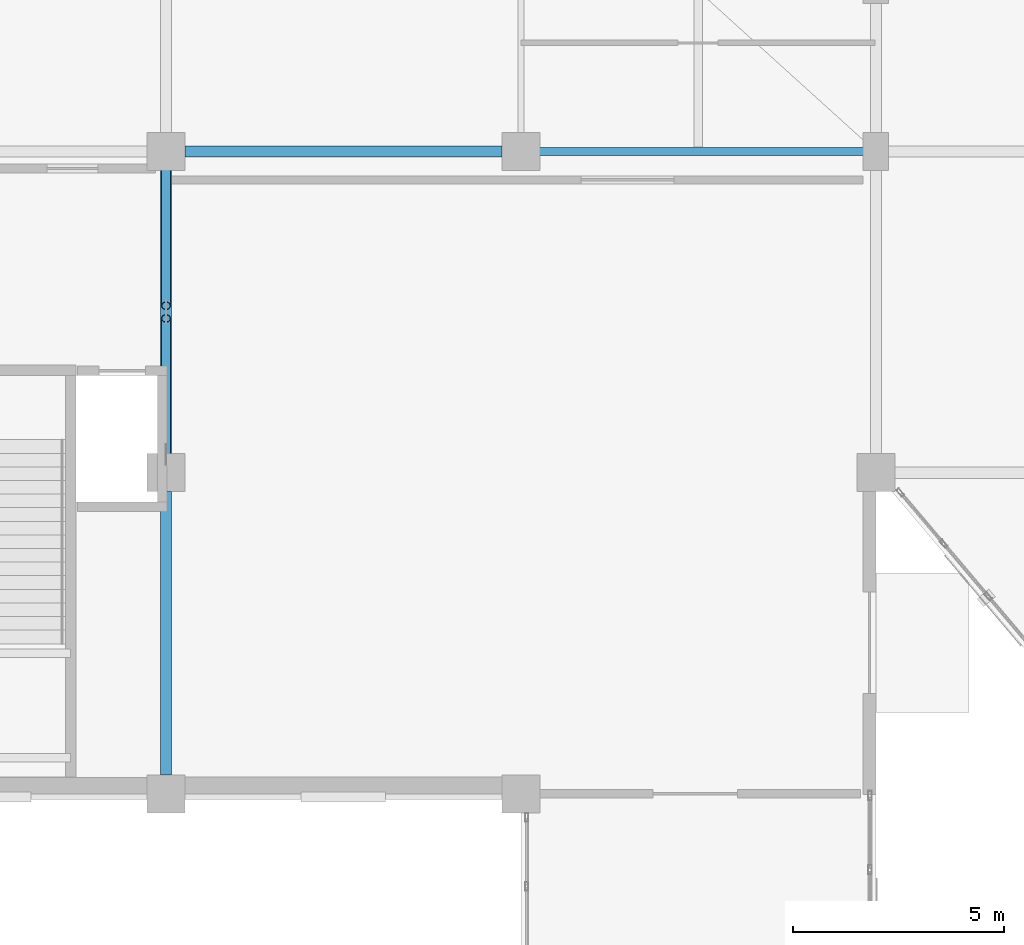
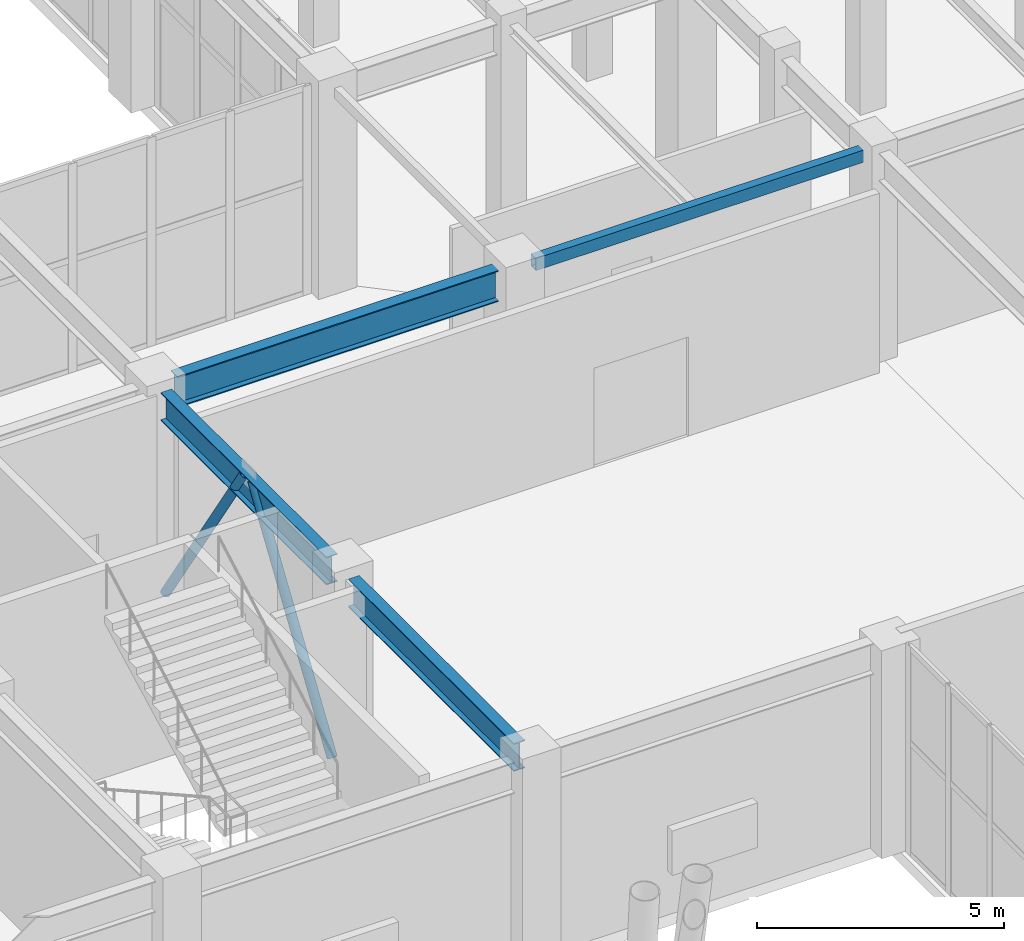
# One storey, part 15 of 139: 4 beams, 2 members.
"""IFC4 building model written with IfcOpenShell, lengths in metres."""

from ifc_helpers import new_model, si_unit, direction, frame, origin, origin_2d, place, context, subcontext, project, spatial, hollow_rectangle, hollow_circle, i_section, extrude, material, material_profile, profile_set, type_object, element, save


model = new_model("IFC4")

# Units and contexts
model_context = context("Model", 3, precision=1e-05, world=origin(), true_north=direction((0.0, 1.0)))
body_context = subcontext(model_context, "Body", "Model", "MODEL_VIEW")
ifc_project = project(units=[si_unit("LENGTHUNIT", "METRE"), si_unit("AREAUNIT", "SQUARE_METRE"), si_unit("VOLUMEUNIT", "CUBIC_METRE"), si_unit("PLANEANGLEUNIT", "RADIAN"), si_unit("MASSUNIT", "GRAM", prefix="KILO")], contexts=[model_context])

# Site, building, storey
site_placement = place(None, origin())
site = spatial("IfcSite", under=ifc_project, at=site_placement, CompositionType="ELEMENT")
building_placement = place(site_placement, origin())
building = spatial("IfcBuilding", under=site, at=building_placement, Name="Xicomal Pleat Aquarium", CompositionType="ELEMENT")
storey_placement = place(building_placement, origin())
storey = spatial("IfcBuildingStorey", under=building, at=storey_placement, Name="L01", CompositionType="ELEMENT", Elevation=0.0)

# Beams
ifc_material_1 = material(Name="Structural steel A992 Gr 50", Category="steel")
ifc_material_profile_1 = material_profile(ifc_material_1, i_section(OverallWidth=0.256103515625, OverallDepth=0.693115234375, WebThickness=0.014404296875, FlangeThickness=0.023681640625, at=origin_2d()), Name="IR 690x170")
ifc_profile_set_1 = profile_set([ifc_material_profile_1], Name="Structural steel A992 Gr 50")
beam_type_1 = type_object("IfcBeamType", Name="BM-STL-IR690", PredefinedType="BEAM", material=ifc_profile_set_1)
for number, where, z_axis, x_axis, name in (
    (1, (35.39990234375, 15.64501953125, 4.79345703125), (0.0, 1.0, 0.0), (-1.0, 0.0, 0.0), "L01 framing beam FGY-L01-05-C-D"),
    (2, (35.39990234375, 23.2451171875, 4.79345703125), (0.0, 1.0, 0.0), (-1.0, 0.0, 0.0), "L01 framing beam FGY-L01-05-D-E"),
):
    element("IfcBeam", number, at=place(storey_placement, frame(where, z_axis=z_axis, x_axis=x_axis)), inside=storey, type_object=beam_type_1, Name=name, PredefinedType="BEAM", context=body_context, shape_type="SweptSolid", body=[
        extrude(i_section(OverallWidth=0.256103515625, OverallDepth=0.693115234375, WebThickness=0.014404296875, FlangeThickness=0.023681640625, at=origin_2d()), origin(), (0.0, 0.0, 1.0), 6.7099609375),
    ])
ifc_material_2 = material(Name="Structural steel A992 Gr 50", Category="steel")
ifc_material_profile_2 = material_profile(ifc_material_2, i_section(OverallWidth=0.26806640625, OverallDepth=0.77001953125, WebThickness=0.015625, FlangeThickness=0.025390625, at=origin_2d()), Name="IR 760x196")
ifc_profile_set_2 = profile_set([ifc_material_profile_2], Name="Structural steel A992 Gr 50")
beam_type_2 = type_object("IfcBeamType", Name="BM-STL-IR760", PredefinedType="BEAM", material=ifc_profile_set_2)
beam_1_placement = place(storey_placement, frame((35.844970703125, 30.39990234375, 4.7548828125), z_axis=(1.0, 0.0, 0.0), x_axis=(0.0, 1.0, 0.0)))
element("IfcBeam", 3, at=beam_1_placement, inside=storey, type_object=beam_type_2, Name="L01 framing beam FGX-L01-05-06-E", PredefinedType="BEAM", context=body_context, shape_type="SweptSolid", body=[
    extrude(i_section(OverallWidth=0.26806640625, OverallDepth=0.77001953125, WebThickness=0.015625, FlangeThickness=0.025390625, at=origin_2d()), origin(), (0.0, 0.0, 1.0), 7.510009765625),
])
ifc_material_3 = material(Name="Structural steel A500 Gr C", Category="steel")
ifc_material_profile_3 = material_profile(ifc_material_3, hollow_rectangle(XDim=0.199951171875, YDim=0.300048828125, WallThickness=0.011962890625, at=origin_2d()), Name="OR 300x200x12")
ifc_profile_set_3 = profile_set([ifc_material_profile_3], Name="Structural steel A500 Gr C")
beam_type_3 = type_object("IfcBeamType", Name="BM-STL-OR300", PredefinedType="SPANDREL", material=ifc_profile_set_3)
beam_2_placement = place(storey_placement, frame((44.2451171875, 30.39990234375, 4.949951171875), z_axis=(1.0, 0.0, 0.0), x_axis=(0.0, 1.0, 0.0)))
element("IfcBeam", 4, at=beam_2_placement, inside=storey, type_object=beam_type_3, Name="L01 framing beam FGX-L01-06-07-E", PredefinedType="SPANDREL", context=body_context, shape_type="SweptSolid", body=[
    extrude(hollow_rectangle(XDim=0.199951171875, YDim=0.300048828125, WallThickness=0.011962890625, at=origin_2d()), origin(), (0.0, 0.0, 1.0), 7.659912109375),
])

# Members
ifc_material_4 = material(Name="Structural steel A500 Gr C", Category="steel")
ifc_material_profile_4 = material_profile(ifc_material_4, hollow_circle(Radius=0.109619140625, WallThickness=0.011962890625, at=origin_2d()), Name="OC 219x12")
ifc_profile_set_4 = profile_set([ifc_material_profile_4], Name="Structural steel A500 Gr C")
member_type = type_object("IfcMemberType", Name="MEM-BR-OC219", PredefinedType="BRACE", material=ifc_profile_set_4)
for number, where, z_axis, x_axis, name in (
    (5, (35.39990234375, 23.22998046875, 0.14990234375), (0.0, 0.549162931095, 0.835715307453), (-1.0, 0.0, 0.0), "L01 chevron brace 12A"),
    (6, (35.39990234375, 29.969970703125, 0.14990234375), (0.0, -0.549162931095, 0.835715307453), (1.0, 0.0, 0.0), "L01 chevron brace 12B"),
):
    element("IfcMember", number, at=place(storey_placement, frame(where, z_axis=z_axis, x_axis=x_axis)), inside=storey, type_object=member_type, Name=name, PredefinedType="BRACE", context=body_context, shape_type="SweptSolid", body=[
        extrude(hollow_circle(Radius=0.109619140625, WallThickness=0.011962890625, at=origin_2d()), origin(), (0.0, 0.0, 1.0), 5.863525390625),
    ])

save(model, "model.ifc")
